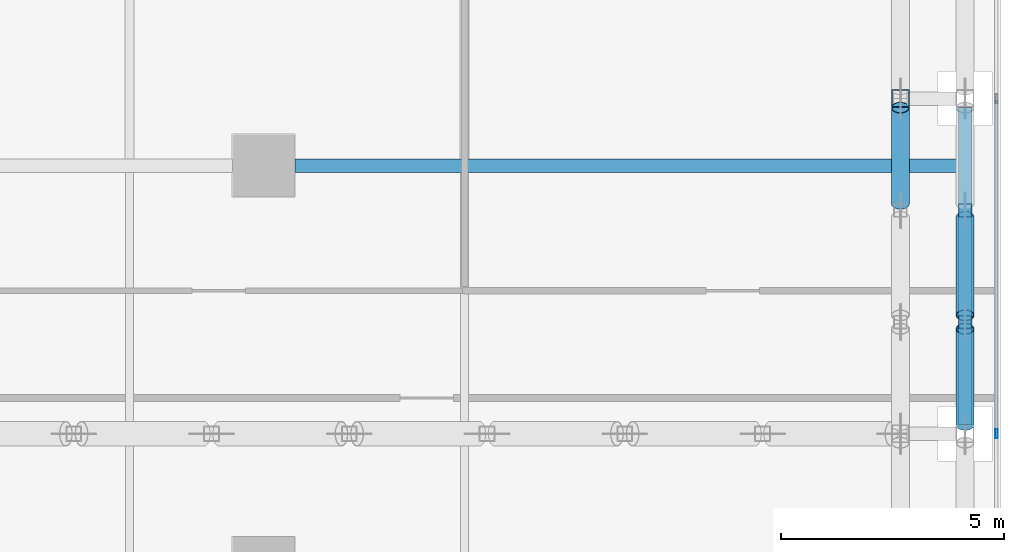
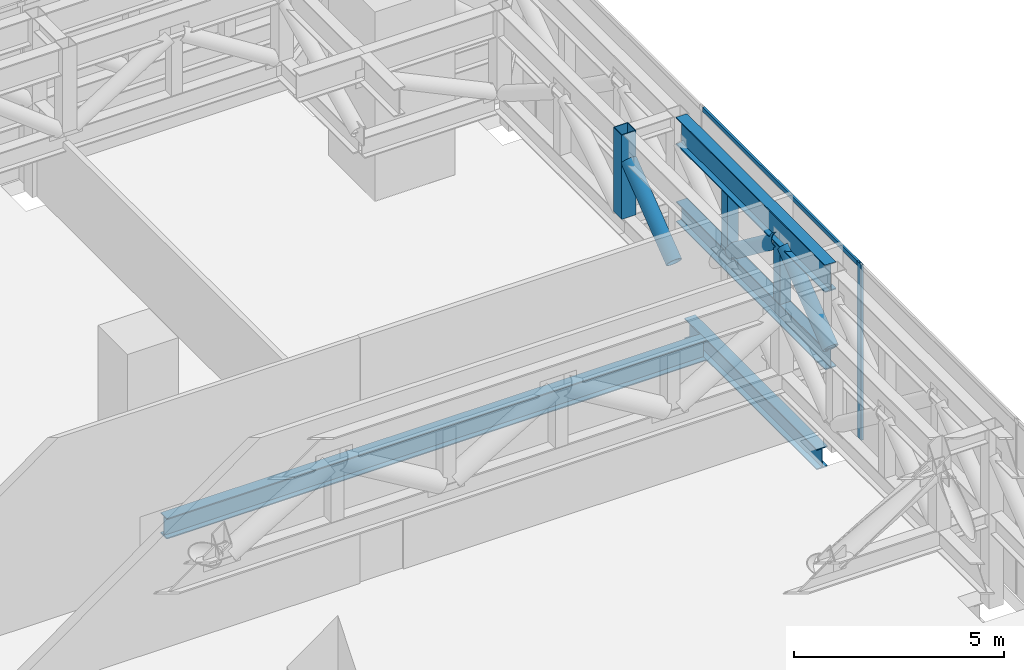
# One storey, part 23 of 39: 10 members, 2 beams, 1 element without a shape of its own.
"""IFC4 building model written with IfcOpenShell, lengths in metres."""

import ifcopenshell
import ifcopenshell.guid

model = None  # the IFC model being written
_history = None  # IfcOwnerHistory: only IFC2X3 demands one
_inside = {}  # id of a spatial element -> (the spatial element, [elements in it])
_under = {}  # id of a project, library or spatial element -> (it, [spatial elements below it])
_declared = {}  # id of a project -> (the project, [libraries it declares])
_typed = {}  # id of a type object -> (the type object, [elements of that type])
_made_of = {}  # id of a material, layer set ... -> (it, [elements and type objects made of it])


def new_model(schema):
    """Start an empty IFC model of exactly this schema.

    Asked for "IFC4X3", IfcOpenShell would pick the latest addendum, in which some entities
    have other attributes; the version numbers below select the first issue.
    IFC2X3 requires an IfcOwnerHistory on every rooted entity: one is made here for all.
    """
    global model, _history
    if schema == "IFC4X3":
        model = ifcopenshell.file(schema_version=(4, 3, 0, 0))
    else:
        model = ifcopenshell.file(schema=schema)
    _inside.clear()
    _under.clear()
    _declared.clear()
    _typed.clear()
    _made_of.clear()
    _history = None
    if model.schema == "IFC2X3":
        org = make("IfcOrganization", Name="unknown")
        user = make(
            "IfcPersonAndOrganization",
            ThePerson=make("IfcPerson", FamilyName="unknown"),
            TheOrganization=org,
        )
        app = make(
            "IfcApplication",
            ApplicationDeveloper=org,
            Version="unknown",
            ApplicationFullName="unknown",
            ApplicationIdentifier="unknown",
        )
        _history = make(
            "IfcOwnerHistory",
            OwningUser=user,
            OwningApplication=app,
            ChangeAction="ADDED",
            CreationDate=0,
        )
    return model


def make(cls, **values):
    """One entity of the class cls with the attributes given. An attribute that is None is left unset."""
    return model.create_entity(
        cls, **{name: value for name, value in values.items() if value is not None}
    )


def rooted(cls, **values):
    """An entity with a GlobalId (a new one), such as an element, a storey or a relation."""
    return make(cls, GlobalId=ifcopenshell.guid.new(), OwnerHistory=_history, **values)


def si_unit(unit_type, name, prefix=None):
    """IfcSIUnit, for example si_unit("LENGTHUNIT", "METRE", prefix="MILLI")."""
    return make("IfcSIUnit", UnitType=unit_type, Prefix=prefix, Name=name)


def assignment(units):
    """IfcUnitAssignment: the units of a project."""
    return None if units is None else make("IfcUnitAssignment", Units=units)


def point(xyz):
    """IfcCartesianPoint."""
    return None if xyz is None else make("IfcCartesianPoint", Coordinates=xyz)


def direction(xyz):
    """IfcDirection."""
    return None if xyz is None else make("IfcDirection", DirectionRatios=xyz)


def frame(location, z_axis=None, x_axis=None):
    """IfcAxis2Placement3D, a coordinate frame: its origin and axes. An axis left out is left unset."""
    return make(
        "IfcAxis2Placement3D",
        Location=point(location),
        Axis=direction(z_axis),
        RefDirection=direction(x_axis),
    )


def frame_2d(location, x_axis=None):
    """IfcAxis2Placement2D, a coordinate frame in the plane: its origin and x axis."""
    return make(
        "IfcAxis2Placement2D", Location=point(location), RefDirection=direction(x_axis)
    )


def origin():
    """The frame at (0, 0, 0) with its axes left unset."""
    return frame((0.0, 0.0, 0.0))


def origin_2d():
    """The frame at (0, 0) in the plane with its x axis left unset."""
    return frame_2d((0.0, 0.0))


def place(relative_to, where):
    """IfcLocalPlacement: puts the frame where relative to a parent placement (None: the world)."""
    return make(
        "IfcLocalPlacement", PlacementRelTo=relative_to, RelativePlacement=where
    )


def context(
    kind, dimensions, precision=None, world=None, true_north=None, identifier=None
):
    """IfcGeometricRepresentationContext, for example the 3D "Model" context."""
    return make(
        "IfcGeometricRepresentationContext",
        ContextIdentifier=identifier,
        ContextType=kind,
        CoordinateSpaceDimension=dimensions,
        Precision=precision,
        WorldCoordinateSystem=world,
        TrueNorth=true_north,
    )


def subcontext(parent, identifier, kind, view, scale=None):
    """IfcGeometricRepresentationSubContext, for example "Body" below "Model"."""
    return make(
        "IfcGeometricRepresentationSubContext",
        ContextIdentifier=identifier,
        ContextType=kind,
        ParentContext=parent,
        TargetScale=scale,
        TargetView=view,
    )


def project(units=None, contexts=None):
    """IfcProject with its units and contexts."""
    return rooted(
        "IfcProject",
        Name="project",
        RepresentationContexts=contexts,
        UnitsInContext=assignment(units),
    )


def spatial(cls, under=None, at=None, **own):
    """A site, building, storey or space (cls), placed at a placement, below another one or the project."""
    s = rooted(cls, ObjectPlacement=at, **own)
    if under is not None:
        _under.setdefault(under.id(), (under, []))[1].append(s)
    return s


def profile(cls, at=None, kind="AREA", **sizes):
    """A parametric profile (cls). Its sizes go by their IFC names, for example OverallWidth=200.0."""
    return make(cls, ProfileType=kind, Position=at, **sizes)


def hollow_rectangle(**sizes):
    """IfcRectangleHollowProfileDef."""
    return profile("IfcRectangleHollowProfileDef", **sizes)


def hollow_circle(**sizes):
    """IfcCircleHollowProfileDef."""
    return profile("IfcCircleHollowProfileDef", **sizes)


def i_section(**sizes):
    """IfcIShapeProfileDef."""
    return profile("IfcIShapeProfileDef", **sizes)


def extrude(swept, where, along, depth):
    """IfcExtrudedAreaSolid: the profile swept, set in the frame where, extruded along a direction by depth."""
    return make(
        "IfcExtrudedAreaSolid",
        SweptArea=swept,
        Position=where,
        ExtrudedDirection=direction(along),
        Depth=depth,
    )


def shape(context_of_items, identifier, shape_type, items):
    """IfcShapeRepresentation: the items that make up one representation, for example the "Body"."""
    return make(
        "IfcShapeRepresentation",
        ContextOfItems=context_of_items,
        RepresentationIdentifier=identifier,
        RepresentationType=shape_type,
        Items=items,
    )


def source(mapping_origin, context_of_items, identifier, shape_type, items):
    """IfcRepresentationMap: a shape defined once, which mapped items show again and again."""
    return make(
        "IfcRepresentationMap",
        MappingOrigin=mapping_origin,
        MappedRepresentation=shape(context_of_items, identifier, shape_type, items),
    )


def transform(
    local_origin,
    x_axis=None,
    y_axis=None,
    z_axis=None,
    scale=None,
    scale2=None,
    scale3=None,
    uniform=True,
):
    """IfcCartesianTransformationOperator3D, or its non-uniform kind. x_axis, y_axis, z_axis: its Axis1, 2, 3."""
    if uniform:
        return make(
            "IfcCartesianTransformationOperator3D",
            Axis1=direction(x_axis),
            Axis2=direction(y_axis),
            LocalOrigin=point(local_origin),
            Scale=scale,
            Axis3=direction(z_axis),
        )
    return make(
        "IfcCartesianTransformationOperator3DnonUniform",
        Axis1=direction(x_axis),
        Axis2=direction(y_axis),
        LocalOrigin=point(local_origin),
        Scale=scale,
        Axis3=direction(z_axis),
        Scale2=scale2,
        Scale3=scale3,
    )


def mapped(mapping_source, mapping_target):
    """IfcMappedItem: shows the shape of a source again, moved by a transform."""
    return make(
        "IfcMappedItem", MappingSource=mapping_source, MappingTarget=mapping_target
    )


def material(Name=None, Category=None):
    """IfcMaterial."""
    return make("IfcMaterial", Name=Name, Category=Category)


def material_profile(
    of_material, cross_section, Name=None, Category=None, Priority=None
):
    """IfcMaterialProfile: a cross section and its material."""
    return make(
        "IfcMaterialProfile",
        Name=Name,
        Material=of_material,
        Profile=cross_section,
        Priority=Priority,
        Category=Category,
    )


def profile_set(profiles, Name=None, composite=None):
    """IfcMaterialProfileSet."""
    return make(
        "IfcMaterialProfileSet",
        Name=Name,
        MaterialProfiles=profiles,
        CompositeProfile=composite,
    )


def made_of(thing, what):
    """Note that an element or type object is made of a material, layer set ...; save() writes the relation."""
    if what is not None:
        _made_of.setdefault(what.id(), (what, []))[1].append(thing)
    return thing


def type_object(cls, material=None, **own):
    """A type object (cls), such as IfcWallType, which elements share."""
    return made_of(rooted(cls, **own), material)


def element(
    cls,
    number,
    at=None,
    inside=None,
    cuts=None,
    type_object=None,
    material=None,
    context=None,
    identifier="Body",
    shape_type=None,
    held_by="IfcProductDefinitionShape",
    body=None,
    shapes=None,
    **own,
):
    """One element of the class cls, such as IfcWall. Its Tag is "e" and its number.

    at: its placement. inside: the storey or other place that contains it. cuts: it is an
    opening in that element (IfcRelVoidsElement). A single representation is given by context,
    identifier, shape_type and body (its items); several are given by shapes. held_by: the class
    of the entity that holds the representations. save() writes the other relations.
    """
    e = rooted(cls, Tag="e%d" % number, ObjectPlacement=at, **own)
    if body is not None:
        shapes = [shape(context, identifier, shape_type, body)]
    if shapes is not None:
        e.Representation = make(held_by, Representations=shapes)
    if inside is not None:
        _inside.setdefault(inside.id(), (inside, []))[1].append(e)
    if cuts is not None:
        rooted(
            "IfcRelVoidsElement", RelatingBuildingElement=cuts, RelatedOpeningElement=e
        )
    if type_object is not None:
        _typed.setdefault(type_object.id(), (type_object, []))[1].append(e)
    return made_of(e, material)


def aggregate(whole, parts):
    """IfcRelAggregates: a whole, such as a stair, and the parts it consists of."""
    return rooted("IfcRelAggregates", RelatingObject=whole, RelatedObjects=parts)


def save(model, path):
    """Write the relations noted so far, then the file.

    IfcRelAggregates (storeys below a building ...), IfcRelContainedInSpatialStructure (elements
    in a storey), IfcRelDefinesByType, IfcRelAssociatesMaterial and IfcRelDeclares: one each for
    every whole, place, type object, material and project.
    """
    for whole, parts in _under.values():
        aggregate(whole, parts)
    for where, things in _inside.values():
        rooted(
            "IfcRelContainedInSpatialStructure",
            RelatedElements=things,
            RelatingStructure=where,
        )
    for kind, things in _typed.values():
        rooted("IfcRelDefinesByType", RelatedObjects=things, RelatingType=kind)
    for what, things in _made_of.values():
        rooted("IfcRelAssociatesMaterial", RelatedObjects=things, RelatingMaterial=what)
    for by, libraries in _declared.values():
        rooted("IfcRelDeclares", RelatingContext=by, RelatedDefinitions=libraries)
    model.write(path)


model = new_model("IFC4")

# Units and contexts
model_context = context("Model", 3, precision=1e-05, world=origin(), true_north=direction((0.0, 1.0)))
body_context = subcontext(model_context, "Body", "Model", "MODEL_VIEW")
ifc_project = project(units=[si_unit("LENGTHUNIT", "METRE"), si_unit("AREAUNIT", "SQUARE_METRE"), si_unit("VOLUMEUNIT", "CUBIC_METRE"), si_unit("PLANEANGLEUNIT", "RADIAN"), si_unit("MASSUNIT", "GRAM", prefix="KILO")], contexts=[model_context])

# Site, building, storey
site_placement = place(None, origin())
site = spatial("IfcSite", under=ifc_project, at=site_placement, CompositionType="ELEMENT")
building_placement = place(site_placement, origin())
building = spatial("IfcBuilding", under=site, at=building_placement, Name="Khomas Fold Tower", CompositionType="ELEMENT")
storey_placement = place(building_placement, frame((0.0, 0.0, 96.0)))
storey = spatial("IfcBuildingStorey", under=building, at=storey_placement, Name="L20", CompositionType="ELEMENT", Elevation=96.0)

# Beams
ifc_material_1 = material(Name="Steel S355", Category="steel")
ifc_material_profile_1 = material_profile(ifc_material_1, i_section(OverallWidth=0.300048828125, OverallDepth=0.60009765625, WebThickness=0.015380859375, FlangeThickness=0.030029296875, at=origin_2d()), Name="HE 600 B")
ifc_profile_set_1 = profile_set([ifc_material_profile_1], Name="Steel S355")
beam_type_1 = type_object("IfcBeamType", Name="HE 600 B spandrel SB1", PredefinedType="SPANDREL", material=ifc_profile_set_1)
shared_shape_1 = source(origin(), body_context, "Body", "SweptSolid", [
    extrude(i_section(OverallWidth=0.300048828125, OverallDepth=0.60009765625, WebThickness=0.015380859375, FlangeThickness=0.030029296875, at=origin_2d()), origin(), (0.0, 0.0, 1.0), 6.2998046875),
])
beam_1_placement = place(storey_placement, frame((53.199951171875, 35.10009765625, -0.699951171875), z_axis=(0.0, 1.0, 0.0), x_axis=(-1.0, 0.0, 0.0)))
element("IfcBeam", 1, at=beam_1_placement, inside=storey, type_object=beam_type_1, Name="SB1", PredefinedType="SPANDREL", context=body_context, shape_type="MappedRepresentation", body=[
    mapped(shared_shape_1, transform((0.0, 0.0, 0.0))),
])
ifc_material_2 = material(Name="Steel S355", Category="steel")
ifc_material_profile_2 = material_profile(ifc_material_2, i_section(OverallWidth=0.300048828125, OverallDepth=0.60009765625, WebThickness=0.015380859375, FlangeThickness=0.030029296875, at=origin_2d()), Name="HE 600 B")
ifc_profile_set_2 = profile_set([ifc_material_profile_2], Name="Steel S355")
beam_type_2 = type_object("IfcBeamType", Name="HE 600 B beam GB5", PredefinedType="BEAM", material=ifc_profile_set_2)
shared_shape_2 = source(origin(), body_context, "Body", "SweptSolid", [
    extrude(i_section(OverallWidth=0.300048828125, OverallDepth=0.60009765625, WebThickness=0.015380859375, FlangeThickness=0.030029296875, at=origin_2d()), origin(), (0.0, 0.0, 1.0), 14.85009765625),
])
beam_2_placement = place(storey_placement, frame((38.199951171875, 40.5, -0.699951171875), z_axis=(1.0, 0.0, 0.0), x_axis=(0.0, 1.0, 0.0)))
element("IfcBeam", 2, at=beam_2_placement, inside=storey, type_object=beam_type_2, Name="GB5", PredefinedType="BEAM", context=body_context, shape_type="MappedRepresentation", body=[
    mapped(shared_shape_2, transform((0.0, 0.0, 0.0))),
])

# Members
ifc_material_3 = material(Name="Steel S355", Category="steel")
ifc_material_profile_3 = material_profile(ifc_material_3, hollow_rectangle(XDim=0.300048828125, YDim=0.300048828125, WallThickness=0.01611328125, at=origin_2d()), Name="SHS 300x300x16")
ifc_profile_set_3 = profile_set([ifc_material_profile_3], Name="Steel S355")
member_type_1 = type_object("IfcMemberType", Name="BELT TRUSS 1 MID POST SHS 300x300x16", PredefinedType="POST", material=ifc_profile_set_3)
shared_shape_3 = source(origin(), body_context, "Body", "SweptSolid", [
    extrude(hollow_rectangle(XDim=0.300048828125, YDim=0.300048828125, WallThickness=0.01611328125, at=origin_2d()), origin(), (0.0, 0.0, 1.0), 1.64990234375),
])
for number, where, z_axis, x_axis, name in (
    (3, (53.199951171875, 37.0, 2.75), (0.0, 0.0, 1.0), (1.0, 0.0, 0.0), "BT1-M"),
    (4, (53.199951171875, 39.5, 2.75), (0.0, 0.0, 1.0), (1.0, 0.0, 0.0), "BT1-M"),
):
    element("IfcMember", number, at=place(storey_placement, frame(where, z_axis=z_axis, x_axis=x_axis)), inside=storey, type_object=member_type_1, Name=name, PredefinedType="POST", context=body_context, shape_type="MappedRepresentation", body=[
        mapped(shared_shape_3, transform((0.0, 0.0, 0.0))),
    ])
ifc_material_4 = material(Name="Steel S460M", Category="steel")
ifc_material_profile_4 = material_profile(ifc_material_4, i_section(OverallWidth=0.300048828125, OverallDepth=0.800048828125, WebThickness=0.017578125, FlangeThickness=0.032958984375, at=origin_2d()), Name="HE 800 B")
ifc_profile_set_4 = profile_set([ifc_material_profile_4], Name="Steel S460M")
member_type_2 = type_object("IfcMemberType", Name="BELT TRUSS 1 TOP CHORD HE 800 B", PredefinedType="CHORD", material=ifc_profile_set_4)
shared_shape_4 = source(origin(), body_context, "Body", "SweptSolid", [
    extrude(i_section(OverallWidth=0.300048828125, OverallDepth=0.800048828125, WebThickness=0.017578125, FlangeThickness=0.032958984375, at=origin_2d()), origin(), (0.0, 0.0, 1.0), 7.10009765625),
])
member_1_placement = place(storey_placement, frame((53.199951171875, 34.699951171875, 4.800048828125), z_axis=(0.0, 1.0, 0.0), x_axis=(-1.0, 0.0, 0.0)))
element("IfcMember", 5, at=member_1_placement, inside=storey, type_object=member_type_2, Name="BT1-CT", PredefinedType="CHORD", context=body_context, shape_type="MappedRepresentation", body=[
    mapped(shared_shape_4, transform((0.0, 0.0, 0.0))),
])
ifc_material_5 = material(Name="Steel S355", Category="steel")
ifc_material_profile_5 = material_profile(ifc_material_5, i_section(OverallWidth=0.300048828125, OverallDepth=0.60009765625, WebThickness=0.015380859375, FlangeThickness=0.030029296875, at=origin_2d()), Name="HE 600 B")
ifc_profile_set_5 = profile_set([ifc_material_profile_5], Name="Steel S355")
member_type_3 = type_object("IfcMemberType", Name="BELT TRUSS 1 BOTTOM CHORD HE 600 B", PredefinedType="CHORD", material=ifc_profile_set_5)
shared_shape_5 = source(origin(), body_context, "Body", "SweptSolid", [
    extrude(i_section(OverallWidth=0.300048828125, OverallDepth=0.60009765625, WebThickness=0.015380859375, FlangeThickness=0.030029296875, at=origin_2d()), origin(), (0.0, 0.0, 1.0), 7.10009765625),
])
member_2_placement = place(storey_placement, frame((53.199951171875, 34.699951171875, 2.449951171875), z_axis=(0.0, 1.0, 0.0), x_axis=(-1.0, 0.0, 0.0)))
element("IfcMember", 6, at=member_2_placement, inside=storey, type_object=member_type_3, Name="BT1-CB", PredefinedType="CHORD", context=body_context, shape_type="MappedRepresentation", body=[
    mapped(shared_shape_5, transform((0.0, 0.0, 0.0))),
])
ifc_material_6 = material(Name="Steel S355", Category="steel")
ifc_material_profile_6 = material_profile(ifc_material_6, hollow_circle(Radius=0.203125, WallThickness=0.01611328125, at=origin_2d()), Name="CHS 406.4x16")
ifc_profile_set_6 = profile_set([ifc_material_profile_6], Name="Steel S355")
member_type_4 = type_object("IfcMemberType", Name="BELT TRUSS 1 DIAGONAL CHS 406.4x16", PredefinedType="BRACE", material=ifc_profile_set_6)
shared_shape_6 = source(origin(), body_context, "Body", "SweptSolid", [
    extrude(hollow_circle(Radius=0.203125, WallThickness=0.01611328125, at=origin_2d()), origin(), (0.0, 0.0, 1.0), 2.71630859375),
])
for number, where, z_axis, x_axis, name in (
    (7, (53.199951171875, 34.699951171875, 2.7451171875), (0.0, 0.791563625226, 0.611086759159), (-1.0, 0.0, 0.0), "BT1-D"),
    (8, (51.75, 39.64990234375, 2.7451171875), (0.0, 0.791563625226, 0.611086759159), (-1.0, 0.0, 0.0), "BT1-D"),
):
    element("IfcMember", number, at=place(storey_placement, frame(where, z_axis=z_axis, x_axis=x_axis)), inside=storey, type_object=member_type_4, Name=name, PredefinedType="BRACE", context=body_context, shape_type="MappedRepresentation", body=[
        mapped(shared_shape_6, transform((0.0, 0.0, 0.0))),
    ])
shared_shape_7 = source(origin(), body_context, "Body", "SweptSolid", [
    extrude(hollow_circle(Radius=0.203125, WallThickness=0.01611328125, at=origin_2d()), origin(), (0.0, 0.0, 1.0), 2.756103515625),
])
member_3_placement = place(storey_placement, frame((53.199951171875, 37.14990234375, 4.405029296875), z_axis=(0.0, 0.798296022167, -0.602265274602), x_axis=(-1.0, 0.0, 0.0)))
element("IfcMember", 9, at=member_3_placement, inside=storey, type_object=member_type_4, Name="BT1-D", PredefinedType="BRACE", context=body_context, shape_type="MappedRepresentation", body=[
    mapped(shared_shape_7, transform((0.0, 0.0, 0.0))),
])
ifc_material_7 = material(Name="Steel S460M", Category="steel")
ifc_material_profile_7 = material_profile(ifc_material_7, hollow_rectangle(XDim=0.39990234375, YDim=0.39990234375, WallThickness=0.02001953125, at=origin_2d()), Name="SHS 400x400x20")
ifc_profile_set_7 = profile_set([ifc_material_profile_7], Name="Steel S460M")
member_type_5 = type_object("IfcMemberType", Name="BELT TRUSS 1 COLUMN POST SHS 400x400x20", PredefinedType="POST", material=ifc_profile_set_7)
shared_shape_8 = source(origin(), body_context, "Body", "SweptSolid", [
    extrude(hollow_rectangle(XDim=0.39990234375, YDim=0.39990234375, WallThickness=0.02001953125, at=origin_2d()), origin(), (0.0, 0.0, 1.0), 2.449951171875),
])
member_4_placement = place(storey_placement, frame((51.75, 42.0, 2.75), z_axis=(0.0, 0.0, 1.0), x_axis=(1.0, 0.0, 0.0)))
element("IfcMember", 10, at=member_4_placement, inside=storey, type_object=member_type_5, Name="BT1-P", PredefinedType="POST", context=body_context, shape_type="MappedRepresentation", body=[
    mapped(shared_shape_8, transform((0.0, 0.0, 0.0))),
])

# Curtain wall, members
ifc_material_8 = material(Name="Aluminium framed double glazing", Category="aluminium")
curtain_wall_type = type_object("IfcCurtainWallType", Name="SK-Plant louvre wall CW4", PredefinedType="NOTDEFINED", material=ifc_material_8)
curtain_wall_placement = place(storey_placement, origin())
curtain_wall = element("IfcCurtainWall", 11, at=curtain_wall_placement, inside=storey, type_object=curtain_wall_type, Name="CW4 run L20 03-0", PredefinedType="NOTDEFINED")
ifc_material_9 = material(Name="Aluminium", Category="aluminium")
ifc_material_profile_8 = material_profile(ifc_material_9, hollow_rectangle(XDim=0.06005859375, YDim=0.199951171875, WallThickness=0.00390625, at=origin_2d()), Name="SK-Plant louvre wall mullion CW4-M")
ifc_profile_set_8 = profile_set([ifc_material_profile_8], Name="Aluminium")
member_type_6 = type_object("IfcMemberType", Name="SK-Plant louvre wall mullion CW4-M", PredefinedType="MULLION", material=ifc_profile_set_8)
shared_shape_9 = source(origin(), body_context, "Body", "SweptSolid", [
    extrude(hollow_rectangle(XDim=0.06005859375, YDim=0.199951171875, WallThickness=0.00390625, at=origin_2d()), origin(), (0.0, 0.0, 1.0), 5.10009765625),
])
member_5_placement = place(storey_placement, frame((53.89990234375, 34.5, 0.0), z_axis=(0.0, 0.0, 1.0), x_axis=(-1.0, 0.0, 0.0)))
member_5 = element("IfcMember", 12, at=member_5_placement, type_object=member_type_6, Name="CW4 mullion 6", PredefinedType="MULLION", context=body_context, shape_type="MappedRepresentation", body=[
    mapped(shared_shape_9, transform((0.0, 0.0, 0.0))),
])
ifc_material_10 = material(Name="Aluminium", Category="aluminium")
ifc_material_profile_9 = material_profile(ifc_material_10, hollow_rectangle(XDim=0.06005859375, YDim=0.1201171875, WallThickness=0.00390625, at=origin_2d()), Name="SK-Plant louvre wall transom CW4-T")
ifc_profile_set_9 = profile_set([ifc_material_profile_9], Name="Aluminium")
member_type_7 = type_object("IfcMemberType", Name="SK-Plant louvre wall transom CW4-T", PredefinedType="USERDEFINED", material=ifc_profile_set_9)
shared_shape_10 = source(origin(), body_context, "Body", "SweptSolid", [
    extrude(hollow_rectangle(XDim=0.06005859375, YDim=0.1201171875, WallThickness=0.00390625, at=origin_2d()), origin(), (0.0, 0.0, 1.0), 7.43994140625),
])
member_6_placement = place(storey_placement, frame((53.89990234375, 34.530029296875, 5.0400390625), z_axis=(0.0, 1.0, 0.0), x_axis=(-1.0, 0.0, 0.0)))
member_6 = element("IfcMember", 13, at=member_6_placement, type_object=member_type_7, Name="CW4 transom 6", ObjectType="TRANSOM", PredefinedType="USERDEFINED", context=body_context, shape_type="MappedRepresentation", body=[
    mapped(shared_shape_10, transform((0.0, 0.0, 0.0))),
])
aggregate(curtain_wall, [member_5, member_6])

save(model, "model.ifc")
